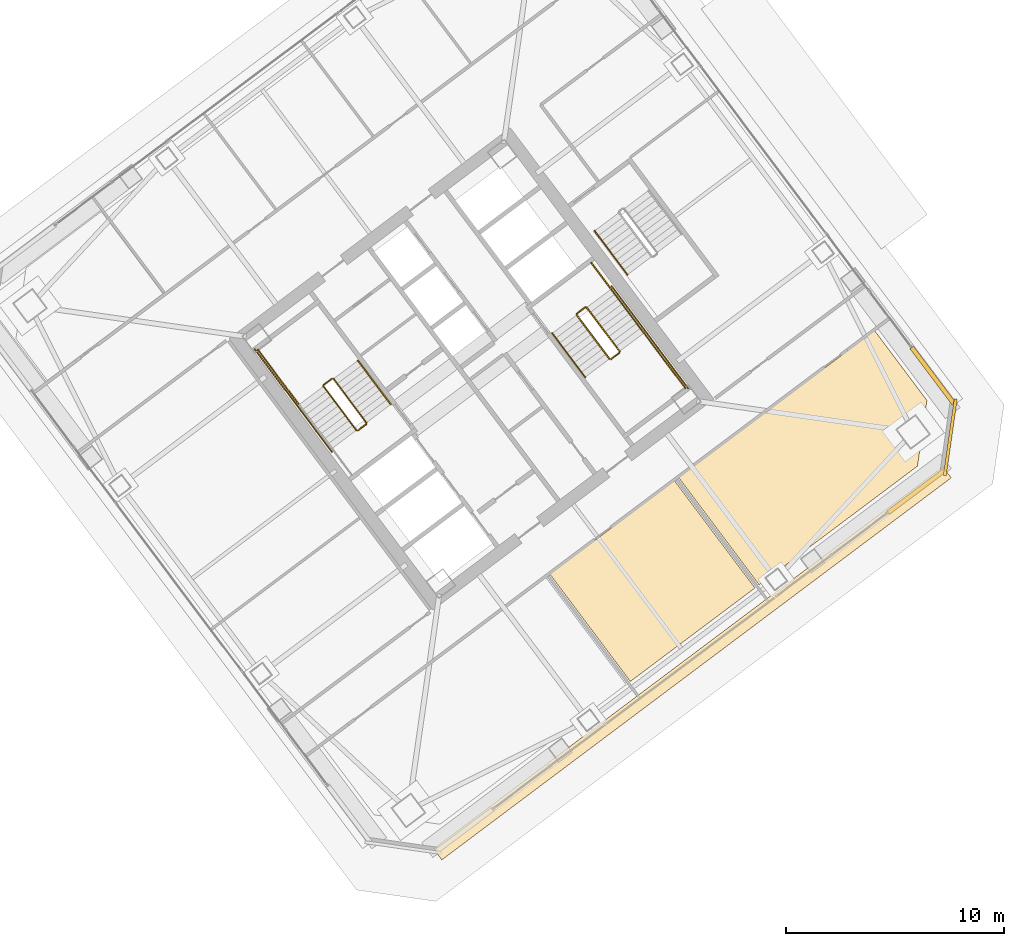
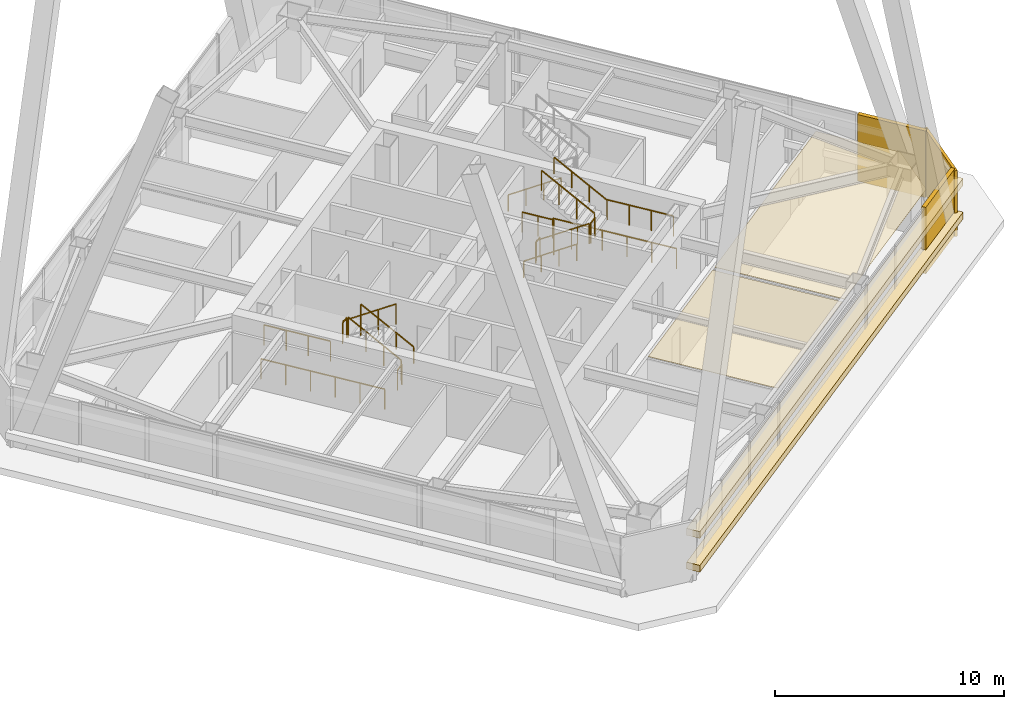
# One storey, part 63 of 65: 17 railings, 7 coverings.
"""IFC4 building model written with IfcOpenShell, lengths in metres."""

from ifc_helpers import new_model, si_unit, direction, frame, origin, origin_2d, place, context, subcontext, project, spatial, polyline, rectangle, outline, extrude, material, layer, layer_set, type_object, element, save


model = new_model("IFC4")

# Units and contexts
model_context = context("Model", 3, precision=1e-05, world=origin(), true_north=direction((0.0, 1.0)))
body_context = subcontext(model_context, "Body", "Model", "MODEL_VIEW")
ifc_project = project(units=[si_unit("LENGTHUNIT", "METRE"), si_unit("AREAUNIT", "SQUARE_METRE"), si_unit("VOLUMEUNIT", "CUBIC_METRE"), si_unit("PLANEANGLEUNIT", "RADIAN"), si_unit("MASSUNIT", "GRAM", prefix="KILO")], contexts=[model_context])

# Site, building, storey
site_placement = place(None, origin())
site = spatial("IfcSite", under=ifc_project, at=site_placement, CompositionType="ELEMENT")
building_placement = place(site_placement, origin())
building = spatial("IfcBuilding", under=site, at=building_placement, Name="Tashvorn Skyway Center", CompositionType="ELEMENT")
storey_placement = place(building_placement, frame((0.0, 0.0, 157.0)))
storey = spatial("IfcBuildingStorey", under=building, at=storey_placement, Name="L42", CompositionType="ELEMENT", Elevation=157.0)

# Coverings
ifc_material_1 = material(Name="Precast concrete C40/50", Category="concrete")
ifc_layer_1 = layer(ifc_material_1, 0.199951171875)
ifc_layer_set_1 = layer_set([ifc_layer_1], Name="Precast concrete C40/50")
covering_type_1 = type_object("IfcCoveringType", Name="COV-BRACE-CLAD", PredefinedType="CLADDING", material=ifc_layer_set_1)
for number, where, z_axis, x_axis, name in (
    (1, (134.43603515625, 26.35205078125, 0.0), (0.0, 0.0, 1.0), (-0.799999996291, -0.600000004945, 0.0), "Tower 2 L42 South Unitised Curtain Wall Mega-Brace Cladding Band 1"),
    (2, (135.199951171875, 31.699951171875, 0.0), (0.0, 0.0, 1.0), (0.600000004945, -0.799999996291, 0.0), "Tower 2 L42 East Unitised Curtain Wall Mega-Brace Cladding Band 2"),
):
    element("IfcCovering", number, at=place(storey_placement, frame(where, z_axis=z_axis, x_axis=x_axis)), inside=storey, type_object=covering_type_1, Name=name, PredefinedType="CLADDING", context=body_context, shape_type="SweptSolid", body=[
        extrude(rectangle(XDim=3.239990234375, YDim=0.199951171875, at=origin_2d()), origin(), (0.0, 0.0, 1.0), 3.550048828125),
    ])
ifc_material_2 = material(Name="Mineral-fibre acoustic ceiling tile on suspended grid")
ifc_layer_2 = layer(ifc_material_2, 0.02001953125)
ifc_layer_set_2 = layer_set([ifc_layer_2], Name="Mineral-fibre acoustic ceiling tile on suspended grid")
covering_type_2 = type_object("IfcCoveringType", Name="COV-CEIL-20", PredefinedType="CEILING", material=ifc_layer_set_2)
covering_1_placement = place(storey_placement, frame((0.0, 0.0, 2.702880859375)))
element("IfcCovering", 3, at=covering_1_placement, inside=storey, type_object=covering_type_2, Name="Tower 2 L42 Staff Fitness Club Acoustic Ceiling", PredefinedType="CEILING", context=body_context, shape_type="SweptSolid", body=[
    extrude(outline(polyline([(117.60205078125, 22.56396484375), (123.330078125, 26.860107421875), (127.031982421875, 21.924072265625), (121.303955078125, 17.6279296875), (117.60205078125, 22.56396484375)])), origin(), (0.0, 0.0, 1.0), 0.02001953125),
])
covering_2_placement = place(storey_placement, frame((0.0, 0.0, 2.702880859375)))
element("IfcCovering", 4, at=covering_2_placement, inside=storey, type_object=covering_type_2, Name="Tower 2 L42 Staff Fitness Club Acoustic Ceiling", PredefinedType="CEILING", context=body_context, shape_type="SweptSolid", body=[
    extrude(outline(polyline([(127.22412109375, 22.068115234375), (123.52197265625, 27.00390625), (132.530029296875, 33.760009765625), (134.93603515625, 30.552001953125), (134.50390625, 27.528076171875), (127.22412109375, 22.068115234375)])), origin(), (0.0, 0.0, 1.0), 0.02001953125),
])
ifc_material_3 = material(Name="Perforated ceramic-coated bronze aluminium solar screen", Category="aluminium")
ifc_layer_3 = layer(ifc_material_3, 0.85009765625)
ifc_layer_set_3 = layer_set([ifc_layer_3], Name="Perforated ceramic-coated bronze aluminium solar screen")
covering_type_3 = type_object("IfcCoveringType", Name="COV-SOLAR-BAND", PredefinedType="CLADDING", material=ifc_layer_set_3)
for number, where, z_axis, x_axis, name in (
    (5, (124.152099609375, 18.464111328125, 0.919921875), (0.0, 0.0, 1.0), (-0.799999996291, -0.600000004945, 0.0), "L42 Perforated Ceramic-Metal Solar Screen Louvre Band South 1"),
    (6, (124.152099609375, 18.464111328125, 2.7197265625), (0.0, 0.0, 1.0), (-0.799999996291, -0.600000004945, 0.0), "L42 Perforated Ceramic-Metal Solar Screen Louvre Band South 2"),
):
    element("IfcCovering", number, at=place(storey_placement, frame(where, z_axis=z_axis, x_axis=x_axis)), inside=storey, type_object=covering_type_3, Name=name, PredefinedType="CLADDING", context=body_context, shape_type="SweptSolid", body=[
        extrude(rectangle(XDim=29.280029296875, YDim=0.639892578125, at=origin_2d()), origin(), (0.0, 0.0, 1.0), 0.360107421875),
    ])
ifc_layer_4 = layer(ifc_material_1, 0.35009765625)
ifc_layer_set_4 = layer_set([ifc_layer_4], Name="Precast concrete C40/50")
covering_type_4 = type_object("IfcCoveringType", Name="COV-STONE-TRIM", PredefinedType="CLADDING", material=ifc_layer_set_4)
covering_3_placement = place(storey_placement, frame((136.008056640625, 28.85595703125, 0.02001953125), z_axis=(0.0, 0.0, 1.0), x_axis=(0.141421350118, 0.989949494535, 0.0)))
element("IfcCovering", 7, at=covering_3_placement, inside=storey, type_object=covering_type_4, Name="Tower 2 L42 SE Mojave Limestone Corner Quoin", PredefinedType="CLADDING", context=body_context, shape_type="SweptSolid", body=[
    extrude(rectangle(XDim=3.55419921875, YDim=0.139892578125, at=origin_2d()), origin(), (0.0, 0.0, 1.0), 3.510009765625),
])

# Railings
ifc_material_4 = material(Name="Brushed stainless steel 316", Category="steel")
railing_type_1 = type_object("IfcRailingType", Name="RAIL-HAND-920", PredefinedType="HANDRAIL", material=ifc_material_4)
railing_1_placement = place(storey_placement, frame((110.2880859375, 30.365966796875, 0.177490234375)))
element("IfcRailing", 8, at=railing_1_placement, inside=storey, type_object=railing_type_1, Name="L42 ST-T2-1 stair handrail 1", PredefinedType="HANDRAIL", context=body_context, shape_type="SweptSolid", body=[
    extrude(rectangle(XDim=0.048095703125, YDim=0.048095703125, at=origin_2d()), frame((0.0, 0.0, 0.8759765625), z_axis=(-0.506801609611, 0.675680931896, 0.535357270211), x_axis=(-0.799976749893, -0.600030998891, 0.0)), (0.0, 0.0, 1.0), 2.98388671875),
    extrude(rectangle(XDim=0.0419921875, YDim=0.0419921875, at=origin_2d()), origin(), (0.0, 0.0, 1.0), 0.851806640625),
    extrude(rectangle(XDim=0.0419921875, YDim=0.0419921875, at=origin_2d()), frame((-0.504150390625, 0.672119140625, 0.532470703125)), (0.0, 0.0, 1.0), 0.851806640625),
    extrude(rectangle(XDim=0.0419921875, YDim=0.0419921875, at=origin_2d()), frame((-1.008056640625, 1.343994140625, 1.06494140625)), (0.0, 0.0, 1.0), 0.851806640625),
    extrude(rectangle(XDim=0.0419921875, YDim=0.0419921875, at=origin_2d()), frame((-1.51220703125, 2.01611328125, 1.597412109375)), (0.0, 0.0, 1.0), 0.851806640625),
])
railing_2_placement = place(storey_placement, frame((117.7119140625, 33.634033203125, 0.177490234375)))
element("IfcRailing", 9, at=railing_2_placement, inside=storey, type_object=railing_type_1, Name="L42 ST-T2-2 stair handrail 1", PredefinedType="HANDRAIL", context=body_context, shape_type="SweptSolid", body=[
    extrude(rectangle(XDim=0.048095703125, YDim=0.048095703125, at=origin_2d()), frame((0.0, 0.0, 0.8759765625), z_axis=(0.506801609611, -0.675680931896, 0.535357270211), x_axis=(0.799976749893, 0.600030998891, 0.0)), (0.0, 0.0, 1.0), 2.98388671875),
    extrude(rectangle(XDim=0.0419921875, YDim=0.0419921875, at=origin_2d()), origin(), (0.0, 0.0, 1.0), 0.851806640625),
    extrude(rectangle(XDim=0.0419921875, YDim=0.0419921875, at=origin_2d()), frame((0.504150390625, -0.672119140625, 0.532470703125)), (0.0, 0.0, 1.0), 0.851806640625),
    extrude(rectangle(XDim=0.0419921875, YDim=0.0419921875, at=origin_2d()), frame((1.008056640625, -1.343994140625, 1.06494140625)), (0.0, 0.0, 1.0), 0.851806640625),
    extrude(rectangle(XDim=0.0419921875, YDim=0.0419921875, at=origin_2d()), frame((1.51220703125, -2.01611328125, 1.597412109375)), (0.0, 0.0, 1.0), 0.851806640625),
])
railing_3_placement = place(storey_placement, frame((121.927978515625, 33.64599609375, 1.952392578125)))
element("IfcRailing", 10, at=railing_3_placement, inside=storey, type_object=railing_type_1, Name="L42 ST-T2-2 stair handrail 2", PredefinedType="HANDRAIL", context=body_context, shape_type="SweptSolid", body=[
    extrude(rectangle(XDim=0.048095703125, YDim=0.048095703125, at=origin_2d()), frame((0.0, 0.0, 0.8759765625), z_axis=(-0.506718600913, 0.675679348675, 0.535437836974), x_axis=(-0.800023250257, -0.599968998406, 0.0)), (0.0, 0.0, 1.0), 2.98388671875),
    extrude(rectangle(XDim=0.0419921875, YDim=0.0419921875, at=origin_2d()), origin(), (0.0, 0.0, 1.0), 0.851806640625),
    extrude(rectangle(XDim=0.0419921875, YDim=0.0419921875, at=origin_2d()), frame((-0.50390625, 0.672119140625, 0.532470703125)), (0.0, 0.0, 1.0), 0.851806640625),
    extrude(rectangle(XDim=0.0419921875, YDim=0.0419921875, at=origin_2d()), frame((-1.008056640625, 1.343994140625, 1.065185546875)), (0.0, 0.0, 1.0), 0.851806640625),
    extrude(rectangle(XDim=0.0419921875, YDim=0.0419921875, at=origin_2d()), frame((-1.511962890625, 2.01611328125, 1.59765625)), (0.0, 0.0, 1.0), 0.851806640625),
])
railing_4_placement = place(storey_placement, frame((119.656005859375, 38.342041015625, 0.177490234375)))
element("IfcRailing", 11, at=railing_4_placement, inside=storey, type_object=railing_type_1, Name="L42 ST-T2-3 stair handrail 1", PredefinedType="HANDRAIL", context=body_context, shape_type="SweptSolid", body=[
    extrude(rectangle(XDim=0.048095703125, YDim=0.048095703125, at=origin_2d()), frame((0.0, 0.0, 0.8759765625), z_axis=(0.506740800098, -0.675708949977, 0.535379469569), x_axis=(0.800023250257, 0.599968998406, 0.0)), (0.0, 0.0, 1.0), 2.983642578125),
    extrude(rectangle(XDim=0.0419921875, YDim=0.0419921875, at=origin_2d()), origin(), (0.0, 0.0, 1.0), 0.851806640625),
    extrude(rectangle(XDim=0.0419921875, YDim=0.0419921875, at=origin_2d()), frame((0.50390625, -0.672119140625, 0.532470703125)), (0.0, 0.0, 1.0), 0.851806640625),
    extrude(rectangle(XDim=0.0419921875, YDim=0.0419921875, at=origin_2d()), frame((1.008056640625, -1.343994140625, 1.06494140625)), (0.0, 0.0, 1.0), 0.851806640625),
    extrude(rectangle(XDim=0.0419921875, YDim=0.0419921875, at=origin_2d()), frame((1.511962890625, -2.01611328125, 1.597412109375)), (0.0, 0.0, 1.0), 0.851806640625),
])
ifc_material_5 = material(Name="Painted galvanized steel S355", Category="steel")
railing_type_2 = type_object("IfcRailingType", Name="RAIL-STGUARD-1100", PredefinedType="GUARDRAIL", material=ifc_material_5)
railing_5_placement = place(storey_placement, frame((109.16796875, 29.52587890625, 0.177490234375)))
element("IfcRailing", 12, at=railing_5_placement, inside=storey, type_object=railing_type_2, Name="L42 ST-T2-1 stair guard 1", PredefinedType="GUARDRAIL", context=body_context, shape_type="SweptSolid", body=[
    extrude(rectangle(XDim=0.048095703125, YDim=0.048095703125, at=origin_2d()), frame((0.0, 0.0, 1.076171875), z_axis=(-0.506740800098, 0.675708949977, 0.535379469569), x_axis=(-0.800023250257, -0.599968998406, 0.0)), (0.0, 0.0, 1.0), 2.983642578125),
    extrude(rectangle(XDim=0.0419921875, YDim=0.0419921875, at=origin_2d()), origin(), (0.0, 0.0, 1.0), 1.052001953125),
    extrude(rectangle(XDim=0.0419921875, YDim=0.0419921875, at=origin_2d()), frame((-0.50390625, 0.672119140625, 0.532470703125)), (0.0, 0.0, 1.0), 1.052001953125),
    extrude(rectangle(XDim=0.0419921875, YDim=0.0419921875, at=origin_2d()), frame((-1.008056640625, 1.343994140625, 1.06494140625)), (0.0, 0.0, 1.0), 1.052001953125),
    extrude(rectangle(XDim=0.0419921875, YDim=0.0419921875, at=origin_2d()), frame((-1.511962890625, 2.01611328125, 1.597412109375)), (0.0, 0.0, 1.0), 1.052001953125),
])
railing_6_placement = place(storey_placement, frame((107.5859375, 31.552001953125, 1.77490234375)))
element("IfcRailing", 13, at=railing_6_placement, inside=storey, type_object=railing_type_2, Name="L42 ST-T2-1 stair guard 2", PredefinedType="GUARDRAIL", context=body_context, shape_type="SweptSolid", body=[
    extrude(rectangle(XDim=0.048095703125, YDim=0.048095703125, at=origin_2d()), frame((0.0, 0.0, 1.076171875), z_axis=(-0.799938970639, -0.600081363861, 0.0), x_axis=(0.600081363861, -0.799938970639, 0.0)), (0.0, 0.0, 1.0), 0.47998046875),
    extrude(rectangle(XDim=0.0419921875, YDim=0.0419921875, at=origin_2d()), origin(), (0.0, 0.0, 1.0), 1.052001953125),
    extrude(rectangle(XDim=0.0419921875, YDim=0.0419921875, at=origin_2d()), frame((-0.384033203125, -0.2880859375, 0.0)), (0.0, 0.0, 1.0), 1.052001953125),
])
railing_7_placement = place(storey_placement, frame((106.072021484375, 30.35400390625, 1.77490234375)))
element("IfcRailing", 14, at=railing_7_placement, inside=storey, type_object=railing_type_2, Name="L42 ST-T2-1 stair guard 3", PredefinedType="GUARDRAIL", context=body_context, shape_type="SweptSolid", body=[
    extrude(rectangle(XDim=0.048095703125, YDim=0.048095703125, at=origin_2d()), frame((0.0, 0.0, 1.076171875), z_axis=(-0.599987638607, 0.800009270896, 0.0), x_axis=(-0.800009270896, -0.599987638607, 0.0)), (0.0, 0.0, 1.0), 3.16015625),
    extrude(rectangle(XDim=0.0419921875, YDim=0.0419921875, at=origin_2d()), origin(), (0.0, 0.0, 1.0), 1.052001953125),
    extrude(rectangle(XDim=0.0419921875, YDim=0.0419921875, at=origin_2d()), frame((-0.632080078125, 0.8427734375, 0.0)), (0.0, 0.0, 1.0), 1.052001953125),
    extrude(rectangle(XDim=0.0419921875, YDim=0.0419921875, at=origin_2d()), frame((-1.263916015625, 1.685302734375, 0.0)), (0.0, 0.0, 1.0), 1.052001953125),
    extrude(rectangle(XDim=0.0419921875, YDim=0.0419921875, at=origin_2d()), frame((-1.89599609375, 2.528076171875, 0.0)), (0.0, 0.0, 1.0), 1.052001953125),
])
railing_8_placement = place(storey_placement, frame((107.19189453125, 31.194091796875, 1.952392578125)))
element("IfcRailing", 15, at=railing_8_placement, inside=storey, type_object=railing_type_2, Name="L42 ST-T2-1 stair guard 4", PredefinedType="GUARDRAIL", context=body_context, shape_type="SweptSolid", body=[
    extrude(rectangle(XDim=0.048095703125, YDim=0.048095703125, at=origin_2d()), frame((0.0, 0.0, 1.076171875), z_axis=(0.506779409603, -0.675651334276, 0.53541563714), x_axis=(0.799976749893, 0.600030998891, 0.0)), (0.0, 0.0, 1.0), 2.98388671875),
    extrude(rectangle(XDim=0.0419921875, YDim=0.0419921875, at=origin_2d()), origin(), (0.0, 0.0, 1.0), 1.052001953125),
    extrude(rectangle(XDim=0.0419921875, YDim=0.0419921875, at=origin_2d()), frame((0.504150390625, -0.672119140625, 0.532470703125)), (0.0, 0.0, 1.0), 1.052001953125),
    extrude(rectangle(XDim=0.0419921875, YDim=0.0419921875, at=origin_2d()), frame((1.008056640625, -1.343994140625, 1.065185546875)), (0.0, 0.0, 1.0), 1.052001953125),
    extrude(rectangle(XDim=0.0419921875, YDim=0.0419921875, at=origin_2d()), frame((1.51220703125, -2.01611328125, 1.59765625)), (0.0, 0.0, 1.0), 1.052001953125),
])
railing_9_placement = place(storey_placement, frame((109.157958984375, 29.4560546875, 0.0)))
element("IfcRailing", 16, at=railing_9_placement, inside=storey, type_object=railing_type_2, Name="L42 ST-T2-1 stair guard 5", PredefinedType="GUARDRAIL", context=body_context, shape_type="SweptSolid", body=[
    extrude(rectangle(XDim=0.048095703125, YDim=0.048095703125, at=origin_2d()), frame((0.0, 0.0, 1.076171875), z_axis=(-0.799938970639, -0.600081363861, 0.0), x_axis=(0.600081363861, -0.799938970639, 0.0)), (0.0, 0.0, 1.0), 0.47998046875),
    extrude(rectangle(XDim=0.0419921875, YDim=0.0419921875, at=origin_2d()), origin(), (0.0, 0.0, 1.0), 1.052001953125),
    extrude(rectangle(XDim=0.0419921875, YDim=0.0419921875, at=origin_2d()), frame((-0.384033203125, -0.2880859375, 0.0)), (0.0, 0.0, 1.0), 1.052001953125),
])
railing_10_placement = place(storey_placement, frame((107.56396484375, 28.197998046875, 0.0)))
element("IfcRailing", 17, at=railing_10_placement, inside=storey, type_object=railing_type_2, Name="L42 ST-T2-1 stair guard 7", PredefinedType="GUARDRAIL", context=body_context, shape_type="SweptSolid", body=[
    extrude(rectangle(XDim=0.048095703125, YDim=0.048095703125, at=origin_2d()), frame((0.0, 0.0, 1.076171875), z_axis=(-0.6, 0.8, 0.0), x_axis=(-0.8, -0.6, 0.0)), (0.0, 0.0, 1.0), 5.880126953125),
    extrude(rectangle(XDim=0.0419921875, YDim=0.0419921875, at=origin_2d()), origin(), (0.0, 0.0, 1.0), 1.052001953125),
    extrude(rectangle(XDim=0.0419921875, YDim=0.0419921875, at=origin_2d()), frame((-0.70556640625, 0.94091796875, 0.0)), (0.0, 0.0, 1.0), 1.052001953125),
    extrude(rectangle(XDim=0.0419921875, YDim=0.0419921875, at=origin_2d()), frame((-1.4111328125, 1.881591796875, 0.0)), (0.0, 0.0, 1.0), 1.052001953125),
    extrude(rectangle(XDim=0.0419921875, YDim=0.0419921875, at=origin_2d()), frame((-2.116943359375, 2.822509765625, 0.0)), (0.0, 0.0, 1.0), 1.052001953125),
    extrude(rectangle(XDim=0.0419921875, YDim=0.0419921875, at=origin_2d()), frame((-2.822509765625, 3.76318359375, 0.0)), (0.0, 0.0, 1.0), 1.052001953125),
    extrude(rectangle(XDim=0.0419921875, YDim=0.0419921875, at=origin_2d()), frame((-3.528076171875, 4.7041015625, 0.0)), (0.0, 0.0, 1.0), 1.052001953125),
])
railing_11_placement = place(storey_placement, frame((118.83203125, 34.47412109375, 0.177490234375)))
element("IfcRailing", 18, at=railing_11_placement, inside=storey, type_object=railing_type_2, Name="L42 ST-T2-2 stair guard 1", PredefinedType="GUARDRAIL", context=body_context, shape_type="SweptSolid", body=[
    extrude(rectangle(XDim=0.048095703125, YDim=0.048095703125, at=origin_2d()), frame((0.0, 0.0, 1.076171875), z_axis=(0.506740800098, -0.675708949977, 0.535379469569), x_axis=(0.800023250257, 0.599968998406, 0.0)), (0.0, 0.0, 1.0), 2.983642578125),
    extrude(rectangle(XDim=0.0419921875, YDim=0.0419921875, at=origin_2d()), origin(), (0.0, 0.0, 1.0), 1.052001953125),
    extrude(rectangle(XDim=0.0419921875, YDim=0.0419921875, at=origin_2d()), frame((0.50390625, -0.672119140625, 0.532470703125)), (0.0, 0.0, 1.0), 1.052001953125),
    extrude(rectangle(XDim=0.0419921875, YDim=0.0419921875, at=origin_2d()), frame((1.008056640625, -1.343994140625, 1.06494140625)), (0.0, 0.0, 1.0), 1.052001953125),
    extrude(rectangle(XDim=0.0419921875, YDim=0.0419921875, at=origin_2d()), frame((1.511962890625, -2.01611328125, 1.597412109375)), (0.0, 0.0, 1.0), 1.052001953125),
])
railing_12_placement = place(storey_placement, frame((120.4140625, 32.447998046875, 1.77490234375)))
element("IfcRailing", 19, at=railing_12_placement, inside=storey, type_object=railing_type_2, Name="L42 ST-T2-2 stair guard 2", PredefinedType="GUARDRAIL", context=body_context, shape_type="SweptSolid", body=[
    extrude(rectangle(XDim=0.048095703125, YDim=0.048095703125, at=origin_2d()), frame((0.0, 0.0, 1.076171875), z_axis=(0.799938970639, 0.600081363861, 0.0), x_axis=(-0.600081363861, 0.799938970639, 0.0)), (0.0, 0.0, 1.0), 0.47998046875),
    extrude(rectangle(XDim=0.0419921875, YDim=0.0419921875, at=origin_2d()), origin(), (0.0, 0.0, 1.0), 1.052001953125),
    extrude(rectangle(XDim=0.0419921875, YDim=0.0419921875, at=origin_2d()), frame((0.384033203125, 0.2880859375, 0.0)), (0.0, 0.0, 1.0), 1.052001953125),
])
railing_13_placement = place(storey_placement, frame((121.927978515625, 33.64599609375, 1.77490234375)))
element("IfcRailing", 20, at=railing_13_placement, inside=storey, type_object=railing_type_2, Name="L42 ST-T2-2 stair guard 3", PredefinedType="GUARDRAIL", context=body_context, shape_type="SweptSolid", body=[
    extrude(rectangle(XDim=0.048095703125, YDim=0.048095703125, at=origin_2d()), frame((0.0, 0.0, 1.076171875), z_axis=(0.599987638607, -0.800009270896, 0.0), x_axis=(0.800009270896, 0.599987638607, 0.0)), (0.0, 0.0, 1.0), 3.16015625),
    extrude(rectangle(XDim=0.0419921875, YDim=0.0419921875, at=origin_2d()), origin(), (0.0, 0.0, 1.0), 1.052001953125),
    extrude(rectangle(XDim=0.0419921875, YDim=0.0419921875, at=origin_2d()), frame((0.632080078125, -0.8427734375, 0.0)), (0.0, 0.0, 1.0), 1.052001953125),
    extrude(rectangle(XDim=0.0419921875, YDim=0.0419921875, at=origin_2d()), frame((1.263916015625, -1.685302734375, 0.0)), (0.0, 0.0, 1.0), 1.052001953125),
    extrude(rectangle(XDim=0.0419921875, YDim=0.0419921875, at=origin_2d()), frame((1.89599609375, -2.528076171875, 0.0)), (0.0, 0.0, 1.0), 1.052001953125),
])
railing_14_placement = place(storey_placement, frame((120.80810546875, 32.805908203125, 1.952392578125)))
element("IfcRailing", 21, at=railing_14_placement, inside=storey, type_object=railing_type_2, Name="L42 ST-T2-2 stair guard 4", PredefinedType="GUARDRAIL", context=body_context, shape_type="SweptSolid", body=[
    extrude(rectangle(XDim=0.048095703125, YDim=0.048095703125, at=origin_2d()), frame((0.0, 0.0, 1.076171875), z_axis=(-0.506779409603, 0.675651334276, 0.53541563714), x_axis=(-0.799976749893, -0.600030998891, 0.0)), (0.0, 0.0, 1.0), 2.98388671875),
    extrude(rectangle(XDim=0.0419921875, YDim=0.0419921875, at=origin_2d()), origin(), (0.0, 0.0, 1.0), 1.052001953125),
    extrude(rectangle(XDim=0.0419921875, YDim=0.0419921875, at=origin_2d()), frame((-0.504150390625, 0.672119140625, 0.532470703125)), (0.0, 0.0, 1.0), 1.052001953125),
    extrude(rectangle(XDim=0.0419921875, YDim=0.0419921875, at=origin_2d()), frame((-1.008056640625, 1.343994140625, 1.065185546875)), (0.0, 0.0, 1.0), 1.052001953125),
    extrude(rectangle(XDim=0.0419921875, YDim=0.0419921875, at=origin_2d()), frame((-1.51220703125, 2.01611328125, 1.59765625)), (0.0, 0.0, 1.0), 1.052001953125),
])
railing_15_placement = place(storey_placement, frame((118.842041015625, 34.5439453125, 0.0)))
element("IfcRailing", 22, at=railing_15_placement, inside=storey, type_object=railing_type_2, Name="L42 ST-T2-2 stair guard 5", PredefinedType="GUARDRAIL", context=body_context, shape_type="SweptSolid", body=[
    extrude(rectangle(XDim=0.048095703125, YDim=0.048095703125, at=origin_2d()), frame((0.0, 0.0, 1.076171875), z_axis=(0.799938970639, 0.600081363861, 0.0), x_axis=(-0.600081363861, 0.799938970639, 0.0)), (0.0, 0.0, 1.0), 0.47998046875),
    extrude(rectangle(XDim=0.0419921875, YDim=0.0419921875, at=origin_2d()), origin(), (0.0, 0.0, 1.0), 1.052001953125),
    extrude(rectangle(XDim=0.0419921875, YDim=0.0419921875, at=origin_2d()), frame((0.384033203125, 0.2880859375, 0.0)), (0.0, 0.0, 1.0), 1.052001953125),
])
railing_16_placement = place(storey_placement, frame((119.50390625, 36.8779296875, 0.0)))
element("IfcRailing", 23, at=railing_16_placement, inside=storey, type_object=railing_type_2, Name="L42 ST-T2-2 stair guard 6", PredefinedType="GUARDRAIL", context=body_context, shape_type="SweptSolid", body=[
    extrude(rectangle(XDim=0.048095703125, YDim=0.048095703125, at=origin_2d()), frame((0.0, 0.0, 1.076171875), z_axis=(0.600102796382, -0.799922892393, 0.0), x_axis=(0.799922892393, 0.600102796382, 0.0)), (0.0, 0.0, 1.0), 1.52001953125),
    extrude(rectangle(XDim=0.0419921875, YDim=0.0419921875, at=origin_2d()), origin(), (0.0, 0.0, 1.0), 1.052001953125),
    extrude(rectangle(XDim=0.0419921875, YDim=0.0419921875, at=origin_2d()), frame((0.4560546875, -0.60791015625, 0.0)), (0.0, 0.0, 1.0), 1.052001953125),
    extrude(rectangle(XDim=0.0419921875, YDim=0.0419921875, at=origin_2d()), frame((0.912109375, -1.2158203125, 0.0)), (0.0, 0.0, 1.0), 1.052001953125),
])
railing_17_placement = place(storey_placement, frame((120.43603515625, 35.802001953125, 0.0)))
element("IfcRailing", 24, at=railing_17_placement, inside=storey, type_object=railing_type_2, Name="L42 ST-T2-2 stair guard 7", PredefinedType="GUARDRAIL", context=body_context, shape_type="SweptSolid", body=[
    extrude(rectangle(XDim=0.048095703125, YDim=0.048095703125, at=origin_2d()), frame((0.0, 0.0, 1.076171875), z_axis=(0.6, -0.8, 0.0), x_axis=(0.8, 0.6, 0.0)), (0.0, 0.0, 1.0), 5.880126953125),
    extrude(rectangle(XDim=0.0419921875, YDim=0.0419921875, at=origin_2d()), origin(), (0.0, 0.0, 1.0), 1.052001953125),
    extrude(rectangle(XDim=0.0419921875, YDim=0.0419921875, at=origin_2d()), frame((0.70556640625, -0.94091796875, 0.0)), (0.0, 0.0, 1.0), 1.052001953125),
    extrude(rectangle(XDim=0.0419921875, YDim=0.0419921875, at=origin_2d()), frame((1.4111328125, -1.881591796875, 0.0)), (0.0, 0.0, 1.0), 1.052001953125),
    extrude(rectangle(XDim=0.0419921875, YDim=0.0419921875, at=origin_2d()), frame((2.116943359375, -2.822509765625, 0.0)), (0.0, 0.0, 1.0), 1.052001953125),
    extrude(rectangle(XDim=0.0419921875, YDim=0.0419921875, at=origin_2d()), frame((2.822509765625, -3.76318359375, 0.0)), (0.0, 0.0, 1.0), 1.052001953125),
    extrude(rectangle(XDim=0.0419921875, YDim=0.0419921875, at=origin_2d()), frame((3.528076171875, -4.7041015625, 0.0)), (0.0, 0.0, 1.0), 1.052001953125),
])

save(model, "model.ifc")
